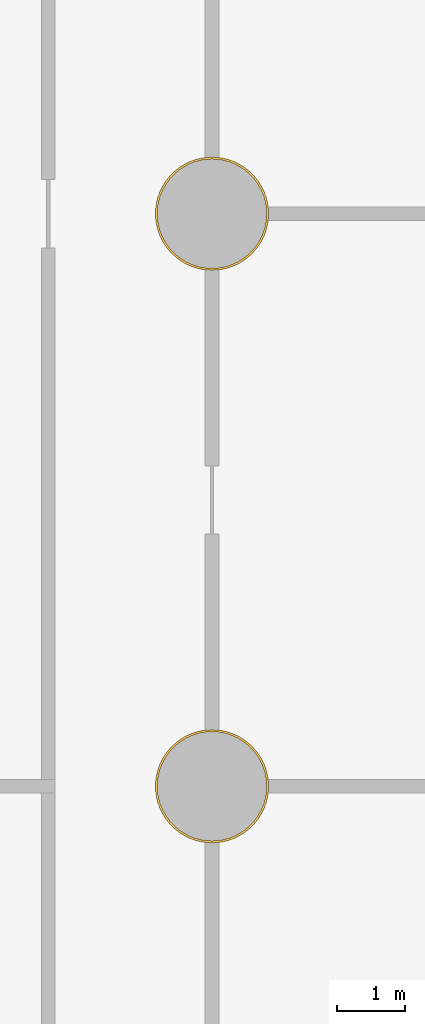
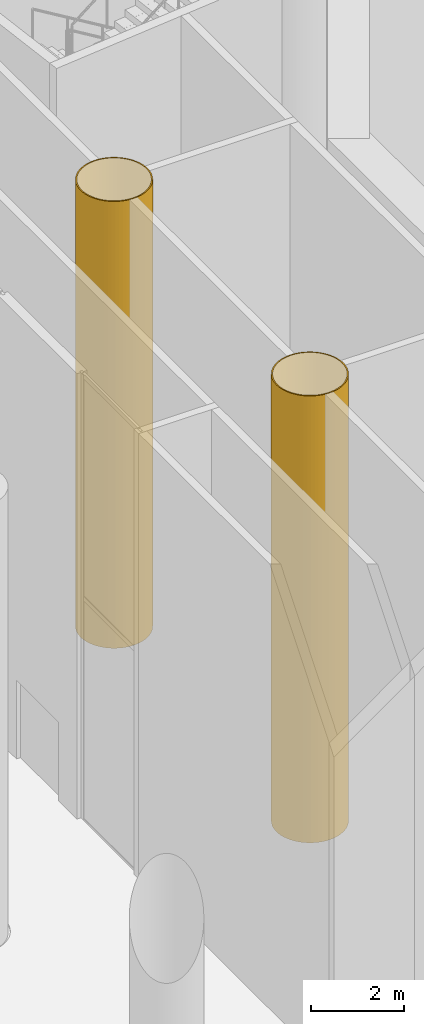
# One storey, part 30 of 52: 2 coverings.
"""IFC4 building model written with IfcOpenShell, lengths in metres."""

from ifc_helpers import new_model, si_unit, direction, origin, place, context, subcontext, project, spatial, polyline, outline, extrude, material, layer, layer_set, type_object, element, save


model = new_model("IFC4")

# Units and contexts
model_context = context("Model", 3, precision=1e-05, world=origin(), true_north=direction((0.0, 1.0)))
body_context = subcontext(model_context, "Body", "Model", "MODEL_VIEW")
ifc_project = project(units=[si_unit("LENGTHUNIT", "METRE"), si_unit("AREAUNIT", "SQUARE_METRE"), si_unit("VOLUMEUNIT", "CUBIC_METRE"), si_unit("PLANEANGLEUNIT", "RADIAN"), si_unit("MASSUNIT", "GRAM", prefix="KILO")], contexts=[model_context])

# Site, building, storey
site_placement = place(None, origin())
site = spatial("IfcSite", under=ifc_project, at=site_placement, CompositionType="ELEMENT")
building_placement = place(site_placement, origin())
building = spatial("IfcBuilding", under=site, at=building_placement, Name="Cantera Rosa Tower", CompositionType="ELEMENT")
storey_placement = place(building_placement, origin())
storey = spatial("IfcBuildingStorey", under=building, at=storey_placement, Name="L00", CompositionType="ELEMENT", Elevation=0.0)

# Coverings
ifc_material = material(Name="Plaster")
ifc_layer = layer(ifc_material, 0.030029296875)
ifc_layer_set = layer_set([ifc_layer], Name="Column casing 30")
covering_type = type_object("IfcCoveringType", Name="Column casing 30", PredefinedType="CLADDING", material=ifc_layer_set)
covering_1_placement = place(storey_placement, origin())
element("IfcCovering", 1, at=covering_1_placement, inside=storey, type_object=covering_type, Name="Column casing L00-003", PredefinedType="CLADDING", context=body_context, shape_type="SweptSolid", body=[
    extrude(outline(polyline([(-15.97412109375, -4.281494140625), (-15.969970703125, -4.199951171875), (-15.97412109375, -4.11865234375), (-15.98583984375, -4.0380859375), (-16.005615234375, -3.958984375), (-16.033203125, -3.88232421875), (-16.068115234375, -3.80859375), (-16.10986328125, -3.739013671875), (-16.158447265625, -3.673583984375), (-16.213134765625, -3.613037109375), (-16.2734375, -3.558349609375), (-16.3388671875, -3.510009765625), (-16.40869140625, -3.468017578125), (-16.482421875, -3.43310546875), (-16.55908203125, -3.40576171875), (-16.63818359375, -3.385986328125), (-16.718505859375, -3.3740234375), (-16.800048828125, -3.3701171875), (-16.88134765625, -3.3740234375), (-16.9619140625, -3.385986328125), (-17.041015625, -3.40576171875), (-17.11767578125, -3.43310546875), (-17.19140625, -3.468017578125), (-17.260986328125, -3.510009765625), (-17.326416015625, -3.558349609375), (-17.386962890625, -3.613037109375), (-17.441650390625, -3.673583984375), (-17.489990234375, -3.739013671875), (-17.531982421875, -3.80859375), (-17.56689453125, -3.88232421875), (-17.59423828125, -3.958984375), (-17.614013671875, -4.0380859375), (-17.6259765625, -4.11865234375), (-17.6298828125, -4.199951171875), (-17.6259765625, -4.281494140625), (-17.614013671875, -4.36181640625), (-17.59423828125, -4.44091796875), (-17.56689453125, -4.517578125), (-17.531982421875, -4.59130859375), (-17.489990234375, -4.6611328125), (-17.441650390625, -4.7265625), (-17.386962890625, -4.786865234375), (-17.326416015625, -4.841552734375), (-17.260986328125, -4.89013671875), (-17.19140625, -4.931884765625), (-17.11767578125, -4.966796875), (-17.041015625, -4.994384765625), (-16.9619140625, -5.01416015625), (-16.88134765625, -5.02587890625), (-16.800048828125, -5.030029296875), (-16.718505859375, -5.02587890625), (-16.63818359375, -5.01416015625), (-16.55908203125, -4.994384765625), (-16.482421875, -4.966796875), (-16.40869140625, -4.931884765625), (-16.3388671875, -4.89013671875), (-16.2734375, -4.841552734375), (-16.213134765625, -4.786865234375), (-16.158447265625, -4.7265625), (-16.10986328125, -4.6611328125), (-16.068115234375, -4.59130859375), (-16.033203125, -4.517578125), (-16.005615234375, -4.44091796875), (-15.98583984375, -4.36181640625), (-15.97412109375, -4.281494140625)]), holes=[polyline([(-16.00390625, -4.12158203125), (-16.015380859375, -4.0439453125), (-16.034423828125, -3.9677734375), (-16.060791015625, -3.893798828125), (-16.094482421875, -3.822998046875), (-16.134765625, -3.755615234375), (-16.181640625, -3.6923828125), (-16.234375, -3.63427734375), (-16.29248046875, -3.58154296875), (-16.35546875, -3.534912109375), (-16.4228515625, -3.494384765625), (-16.493896484375, -3.4609375), (-16.56787109375, -3.434326171875), (-16.643798828125, -3.415283203125), (-16.7216796875, -3.40380859375), (-16.800048828125, -3.39990234375), (-16.87841796875, -3.40380859375), (-16.9560546875, -3.415283203125), (-17.0322265625, -3.434326171875), (-17.106201171875, -3.4609375), (-17.177001953125, -3.494384765625), (-17.244384765625, -3.534912109375), (-17.3076171875, -3.58154296875), (-17.36572265625, -3.63427734375), (-17.41845703125, -3.6923828125), (-17.465087890625, -3.755615234375), (-17.505615234375, -3.822998046875), (-17.5390625, -3.893798828125), (-17.565673828125, -3.9677734375), (-17.584716796875, -4.0439453125), (-17.59619140625, -4.12158203125), (-17.60009765625, -4.199951171875), (-17.59619140625, -4.2783203125), (-17.584716796875, -4.356201171875), (-17.565673828125, -4.43212890625), (-17.5390625, -4.506103515625), (-17.505615234375, -4.5771484375), (-17.465087890625, -4.64453125), (-17.41845703125, -4.70751953125), (-17.36572265625, -4.765625), (-17.3076171875, -4.818359375), (-17.244384765625, -4.865234375), (-17.177001953125, -4.905517578125), (-17.106201171875, -4.939208984375), (-17.0322265625, -4.965576171875), (-16.9560546875, -4.984619140625), (-16.87841796875, -4.99609375), (-16.800048828125, -5.0), (-16.7216796875, -4.99609375), (-16.643798828125, -4.984619140625), (-16.56787109375, -4.965576171875), (-16.493896484375, -4.939208984375), (-16.4228515625, -4.905517578125), (-16.35546875, -4.865234375), (-16.29248046875, -4.818359375), (-16.234375, -4.765625), (-16.181640625, -4.70751953125), (-16.134765625, -4.64453125), (-16.094482421875, -4.5771484375), (-16.060791015625, -4.506103515625), (-16.034423828125, -4.43212890625), (-16.015380859375, -4.356201171875), (-16.00390625, -4.2783203125), (-16.0, -4.199951171875), (-16.00390625, -4.12158203125)])]), origin(), (0.0, 0.0, 1.0), 11.699951171875),
])
covering_2_placement = place(storey_placement, origin())
element("IfcCovering", 2, at=covering_2_placement, inside=storey, type_object=covering_type, Name="Column casing L00-004", PredefinedType="CLADDING", context=body_context, shape_type="SweptSolid", body=[
    extrude(outline(polyline([(-15.97412109375, 4.11865234375), (-15.969970703125, 4.199951171875), (-15.97412109375, 4.281494140625), (-15.98583984375, 4.36181640625), (-16.005615234375, 4.44091796875), (-16.033203125, 4.517578125), (-16.068115234375, 4.59130859375), (-16.10986328125, 4.6611328125), (-16.158447265625, 4.7265625), (-16.213134765625, 4.786865234375), (-16.2734375, 4.841552734375), (-16.3388671875, 4.89013671875), (-16.40869140625, 4.931884765625), (-16.482421875, 4.966796875), (-16.55908203125, 4.994384765625), (-16.63818359375, 5.01416015625), (-16.718505859375, 5.02587890625), (-16.800048828125, 5.030029296875), (-16.88134765625, 5.02587890625), (-16.9619140625, 5.01416015625), (-17.041015625, 4.994384765625), (-17.11767578125, 4.966796875), (-17.19140625, 4.931884765625), (-17.260986328125, 4.89013671875), (-17.326416015625, 4.841552734375), (-17.386962890625, 4.786865234375), (-17.441650390625, 4.7265625), (-17.489990234375, 4.6611328125), (-17.531982421875, 4.59130859375), (-17.56689453125, 4.517578125), (-17.59423828125, 4.44091796875), (-17.614013671875, 4.36181640625), (-17.6259765625, 4.281494140625), (-17.6298828125, 4.199951171875), (-17.6259765625, 4.11865234375), (-17.614013671875, 4.0380859375), (-17.59423828125, 3.958984375), (-17.56689453125, 3.88232421875), (-17.531982421875, 3.80859375), (-17.489990234375, 3.739013671875), (-17.441650390625, 3.673583984375), (-17.386962890625, 3.613037109375), (-17.326416015625, 3.558349609375), (-17.260986328125, 3.510009765625), (-17.19140625, 3.468017578125), (-17.11767578125, 3.43310546875), (-17.041015625, 3.40576171875), (-16.9619140625, 3.385986328125), (-16.88134765625, 3.3740234375), (-16.800048828125, 3.3701171875), (-16.718505859375, 3.3740234375), (-16.63818359375, 3.385986328125), (-16.55908203125, 3.40576171875), (-16.482421875, 3.43310546875), (-16.40869140625, 3.468017578125), (-16.3388671875, 3.510009765625), (-16.2734375, 3.558349609375), (-16.213134765625, 3.613037109375), (-16.158447265625, 3.673583984375), (-16.10986328125, 3.739013671875), (-16.068115234375, 3.80859375), (-16.033203125, 3.88232421875), (-16.005615234375, 3.958984375), (-15.98583984375, 4.0380859375), (-15.97412109375, 4.11865234375)]), holes=[polyline([(-16.00390625, 4.2783203125), (-16.015380859375, 4.356201171875), (-16.034423828125, 4.43212890625), (-16.060791015625, 4.506103515625), (-16.094482421875, 4.5771484375), (-16.134765625, 4.64453125), (-16.181640625, 4.70751953125), (-16.234375, 4.765625), (-16.29248046875, 4.818359375), (-16.35546875, 4.865234375), (-16.4228515625, 4.905517578125), (-16.493896484375, 4.939208984375), (-16.56787109375, 4.965576171875), (-16.643798828125, 4.984619140625), (-16.7216796875, 4.99609375), (-16.800048828125, 5.0), (-16.87841796875, 4.99609375), (-16.9560546875, 4.984619140625), (-17.0322265625, 4.965576171875), (-17.106201171875, 4.939208984375), (-17.177001953125, 4.905517578125), (-17.244384765625, 4.865234375), (-17.3076171875, 4.818359375), (-17.36572265625, 4.765625), (-17.41845703125, 4.70751953125), (-17.465087890625, 4.64453125), (-17.505615234375, 4.5771484375), (-17.5390625, 4.506103515625), (-17.565673828125, 4.43212890625), (-17.584716796875, 4.356201171875), (-17.59619140625, 4.2783203125), (-17.60009765625, 4.199951171875), (-17.59619140625, 4.12158203125), (-17.584716796875, 4.0439453125), (-17.565673828125, 3.9677734375), (-17.5390625, 3.893798828125), (-17.505615234375, 3.822998046875), (-17.465087890625, 3.755615234375), (-17.41845703125, 3.6923828125), (-17.36572265625, 3.63427734375), (-17.3076171875, 3.58154296875), (-17.244384765625, 3.534912109375), (-17.177001953125, 3.494384765625), (-17.106201171875, 3.4609375), (-17.0322265625, 3.434326171875), (-16.9560546875, 3.415283203125), (-16.87841796875, 3.40380859375), (-16.800048828125, 3.39990234375), (-16.7216796875, 3.40380859375), (-16.643798828125, 3.415283203125), (-16.56787109375, 3.434326171875), (-16.493896484375, 3.4609375), (-16.4228515625, 3.494384765625), (-16.35546875, 3.534912109375), (-16.29248046875, 3.58154296875), (-16.234375, 3.63427734375), (-16.181640625, 3.6923828125), (-16.134765625, 3.755615234375), (-16.094482421875, 3.822998046875), (-16.060791015625, 3.893798828125), (-16.034423828125, 3.9677734375), (-16.015380859375, 4.0439453125), (-16.00390625, 4.12158203125), (-16.0, 4.199951171875), (-16.00390625, 4.2783203125)])]), origin(), (0.0, 0.0, 1.0), 11.699951171875),
])

save(model, "model.ifc")
